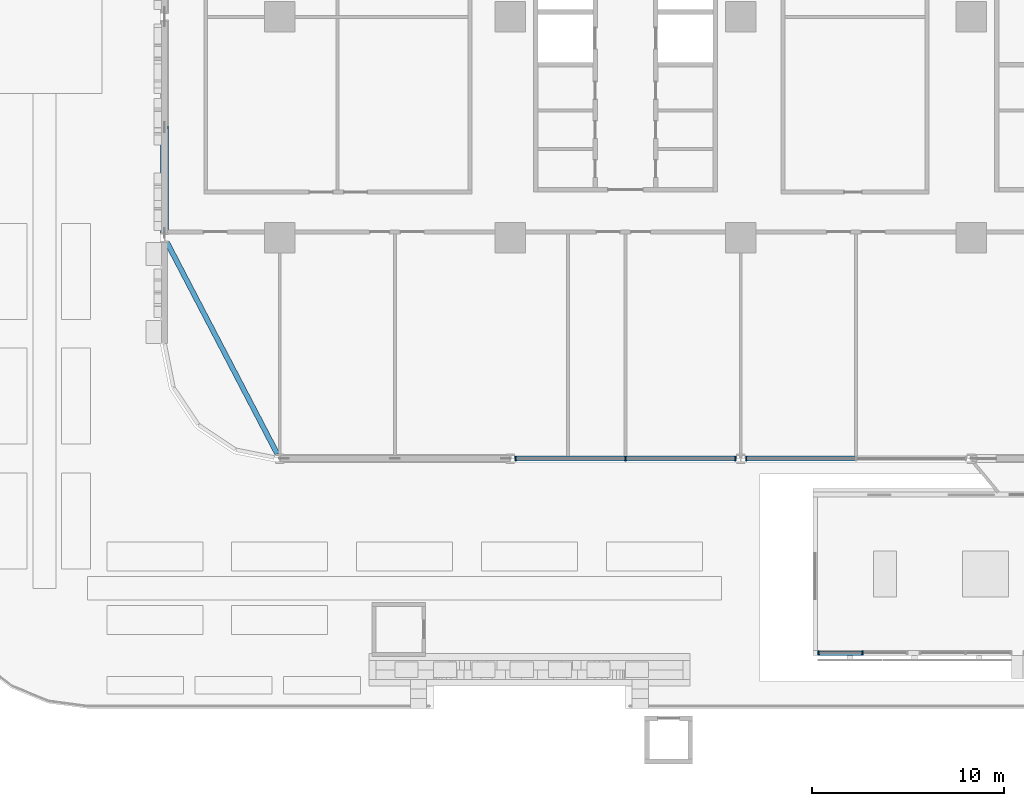
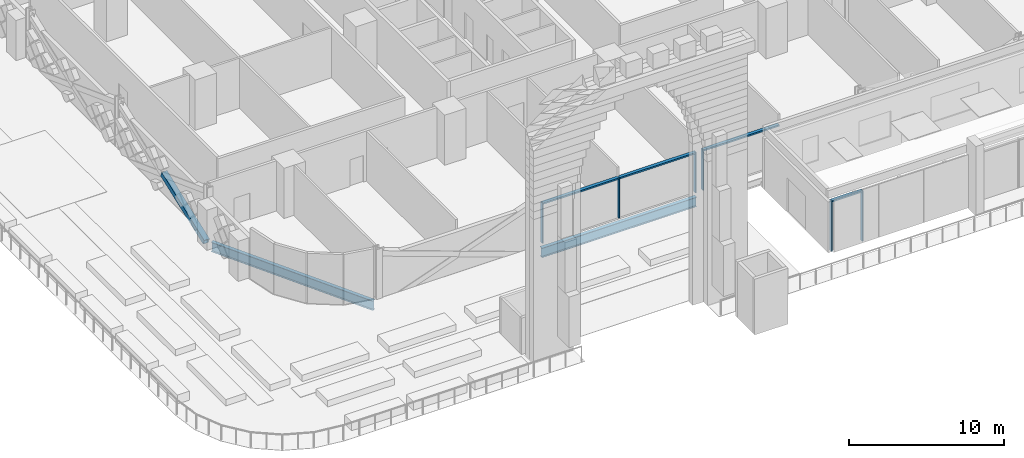
# One storey, part 2 of 39: 11 members, 2 beams, 3 elements without a shape of their own.
"""IFC4 building model written with IfcOpenShell, lengths in metres."""

from ifc_helpers import new_model, si_unit, direction, frame, origin, origin_2d, place, context, subcontext, project, spatial, rectangle, hollow_rectangle, i_section, extrude, material, material_profile, profile_set, type_object, element, aggregate, save


model = new_model("IFC4")

# Units and contexts
model_context = context("Model", 3, precision=1e-05, world=origin(), true_north=direction((0.0, 1.0)))
body_context = subcontext(model_context, "Body", "Model", "MODEL_VIEW")
ifc_project = project(units=[si_unit("LENGTHUNIT", "METRE"), si_unit("AREAUNIT", "SQUARE_METRE"), si_unit("VOLUMEUNIT", "CUBIC_METRE"), si_unit("PLANEANGLEUNIT", "RADIAN"), si_unit("MASSUNIT", "GRAM", prefix="KILO")], contexts=[model_context])

# Site, building, storey
site_placement = place(None, origin())
site = spatial("IfcSite", under=ifc_project, at=site_placement, CompositionType="ELEMENT")
building_placement = place(site_placement, origin())
building = spatial("IfcBuilding", under=site, at=building_placement, Name="Mahtab Terrace Research Tower", CompositionType="ELEMENT")
storey_placement = place(building_placement, frame((0.0, 0.0, 7.199951171875)))
storey = spatial("IfcBuildingStorey", under=building, at=storey_placement, Name="L01", CompositionType="ELEMENT", Elevation=7.199951171875)

# Curtain wall, members
ifc_material_1 = material(Name="Garden pavilion curtain wall")
curtain_wall_type_1 = type_object("IfcCurtainWallType", Name="Garden pavilion curtain wall", PredefinedType="NOTDEFINED", material=ifc_material_1)
curtain_wall_1_placement = place(storey_placement, origin())
curtain_wall_1 = element("IfcCurtainWall", 1, at=curtain_wall_1_placement, inside=storey, type_object=curtain_wall_type_1, Name="PAV.cw.0", PredefinedType="NOTDEFINED")
ifc_material_2 = material(Name="Natural anodised aluminium", Category="aluminium")
ifc_material_profile_1 = material_profile(ifc_material_2, rectangle(XDim=0.239990234375, YDim=0.074951171875, at=origin_2d()), Name="MULLION 75x240")
ifc_profile_set_1 = profile_set([ifc_material_profile_1], Name="Natural anodised aluminium")
member_type_1 = type_object("IfcMemberType", Name="Garden pavilion curtain wall mullion", PredefinedType="MULLION", material=ifc_profile_set_1)
member_1_placement = place(storey_placement, frame((-13.96240234375, -33.125, 0.0), z_axis=(0.0, 0.0, 1.0), x_axis=(0.0, 1.0, 0.0)))
member_1 = element("IfcMember", 2, at=member_1_placement, type_object=member_type_1, Name="CWP-1 mullion 1", PredefinedType="MULLION", context=body_context, shape_type="SweptSolid", body=[
    extrude(rectangle(XDim=0.239990234375, YDim=0.074951171875, at=origin_2d()), origin(), (0.0, 0.0, 1.0), 4.0),
])
member_2_placement = place(storey_placement, frame((-11.64990234375, -33.125, 0.0), z_axis=(0.0, 0.0, 1.0), x_axis=(0.0, 1.0, 0.0)))
member_2 = element("IfcMember", 3, at=member_2_placement, type_object=member_type_1, Name="CWP-1 mullion 2", PredefinedType="MULLION", context=body_context, shape_type="SweptSolid", body=[
    extrude(rectangle(XDim=0.239990234375, YDim=0.074951171875, at=origin_2d()), origin(), (0.0, 0.0, 1.0), 4.0),
])
ifc_material_profile_2 = material_profile(ifc_material_2, rectangle(XDim=0.239990234375, YDim=0.1201171875, at=origin_2d()), Name="TRANSOM 120x240")
ifc_profile_set_2 = profile_set([ifc_material_profile_2], Name="Natural anodised aluminium")
member_type_2 = type_object("IfcMemberType", Name="Garden pavilion curtain wall transom", PredefinedType="USERDEFINED", material=ifc_profile_set_2)
member_3_placement = place(storey_placement, frame((-13.925048828125, -33.125, 3.93994140625), z_axis=(1.0, 0.0, 0.0), x_axis=(0.0, 1.0, 0.0)))
member_3 = element("IfcMember", 4, at=member_3_placement, type_object=member_type_2, Name="CWP-1 transom 1", ObjectType="TRANSOM", PredefinedType="USERDEFINED", context=body_context, shape_type="SweptSolid", body=[
    extrude(rectangle(XDim=0.239990234375, YDim=0.1201171875, at=origin_2d()), origin(), (0.0, 0.0, 1.0), 2.237548828125),
])
aggregate(curtain_wall_1, [member_1, member_2, member_3])

# Member
ifc_material_3 = material(Name="Steel ASTM A500 Gr C", Category="steel")
ifc_material_profile_3 = material_profile(ifc_material_3, hollow_rectangle(XDim=0.406494140625, YDim=0.406494140625, WallThickness=0.01904296875, at=origin_2d()), Name="HSS16X16X3/4")
ifc_profile_set_3 = profile_set([ifc_material_profile_3], Name="Steel ASTM A500 Gr C")
member_type_3 = type_object("IfcMemberType", Name="HSS 16x16x3/4 brace XB161634", PredefinedType="BRACE", material=ifc_profile_set_3)
member_4_placement = place(storey_placement, frame((-48.0, -11.251220703125, -0.625244140625), z_axis=(0.0, 0.936668691391, 0.350216736563), x_axis=(-1.0, 0.0, 0.0)))
element("IfcMember", 5, at=member_4_placement, inside=storey, type_object=member_type_3, Name="Exoskeleton brace L01 10 b1", PredefinedType="BRACE", context=body_context, shape_type="SweptSolid", body=[
    extrude(hollow_rectangle(XDim=0.406494140625, YDim=0.406494140625, WallThickness=0.01904296875, at=origin_2d()), origin(), (0.0, 0.0, 1.0), 5.873291015625),
])

# Curtain wall, members
ifc_material_4 = material(Name="Sky lounge full-height curtain wall")
curtain_wall_type_2 = type_object("IfcCurtainWallType", Name="Sky lounge full-height curtain wall", PredefinedType="NOTDEFINED", material=ifc_material_4)
curtain_wall_2_placement = place(storey_placement, origin())
curtain_wall_2 = element("IfcCurtainWall", 6, at=curtain_wall_2_placement, inside=storey, type_object=curtain_wall_type_2, Name="EN.L01.13.23", PredefinedType="NOTDEFINED")
ifc_material_profile_4 = material_profile(ifc_material_2, rectangle(XDim=0.25, YDim=0.070068359375, at=origin_2d()), Name="MULLION 70x250")
ifc_profile_set_4 = profile_set([ifc_material_profile_4], Name="Natural anodised aluminium")
member_type_4 = type_object("IfcMemberType", Name="Sky lounge full-height curtain wall mullion", PredefinedType="MULLION", material=ifc_profile_set_4)
member_5_placement = place(storey_placement, frame((-29.716064453125, -23.0, 0.0), z_axis=(0.0, 0.0, 1.0), x_axis=(0.0, 1.0, 0.0)))
member_5 = element("IfcMember", 7, at=member_5_placement, type_object=member_type_4, Name="CWS-1 mullion 1", PredefinedType="MULLION", context=body_context, shape_type="SweptSolid", body=[
    extrude(rectangle(XDim=0.25, YDim=0.070068359375, at=origin_2d()), origin(), (0.0, 0.0, 1.0), 3.203125),
])
member_6_placement = place(storey_placement, frame((-24.0, -23.0, 0.0), z_axis=(0.0, 0.0, 1.0), x_axis=(0.0, 1.0, 0.0)))
member_6 = element("IfcMember", 8, at=member_6_placement, type_object=member_type_4, Name="CWS-1 mullion 2", PredefinedType="MULLION", context=body_context, shape_type="SweptSolid", body=[
    extrude(rectangle(XDim=0.25, YDim=0.070068359375, at=origin_2d()), origin(), (0.0, 0.0, 1.0), 3.203125),
])
member_7_placement = place(storey_placement, frame((-18.283935546875, -23.0, 0.0), z_axis=(0.0, 0.0, 1.0), x_axis=(0.0, 1.0, 0.0)))
member_7 = element("IfcMember", 9, at=member_7_placement, type_object=member_type_4, Name="CWS-1 mullion 3", PredefinedType="MULLION", context=body_context, shape_type="SweptSolid", body=[
    extrude(rectangle(XDim=0.25, YDim=0.070068359375, at=origin_2d()), origin(), (0.0, 0.0, 1.0), 3.203125),
])

# Curtain wall, member
curtain_wall_3_placement = place(storey_placement, origin())
curtain_wall_3 = element("IfcCurtainWall", 10, at=curtain_wall_3_placement, inside=storey, type_object=curtain_wall_type_2, Name="EN.L01.13.24", PredefinedType="NOTDEFINED")
member_8_placement = place(storey_placement, frame((-17.716064453125, -23.0, 0.0), z_axis=(0.0, 0.0, 1.0), x_axis=(0.0, 1.0, 0.0)))
member_8 = element("IfcMember", 11, at=member_8_placement, type_object=member_type_4, Name="CWS-1 mullion 1", PredefinedType="MULLION", context=body_context, shape_type="SweptSolid", body=[
    extrude(rectangle(XDim=0.25, YDim=0.070068359375, at=origin_2d()), origin(), (0.0, 0.0, 1.0), 3.203125),
])

# Member
ifc_material_profile_5 = material_profile(ifc_material_2, rectangle(XDim=0.25, YDim=0.1201171875, at=origin_2d()), Name="TRANSOM 120x250")
ifc_profile_set_5 = profile_set([ifc_material_profile_5], Name="Natural anodised aluminium")
member_type_5 = type_object("IfcMemberType", Name="Sky lounge full-height curtain wall transom", PredefinedType="USERDEFINED", material=ifc_profile_set_5)
member_9_placement = place(storey_placement, frame((-29.680908203125, -23.0, 3.14306640625), z_axis=(1.0, 0.0, 0.0), x_axis=(0.0, 1.0, 0.0)))
member_9 = element("IfcMember", 12, at=member_9_placement, type_object=member_type_5, Name="CWS-1 transom 1", ObjectType="TRANSOM", PredefinedType="USERDEFINED", context=body_context, shape_type="SweptSolid", body=[
    extrude(rectangle(XDim=0.25, YDim=0.1201171875, at=origin_2d()), origin(), (0.0, 0.0, 1.0), 5.64599609375),
])

member_10_placement = place(storey_placement, frame((-23.965087890625, -23.0, 3.14306640625), z_axis=(1.0, 0.0, 0.0), x_axis=(0.0, 1.0, 0.0)))
member_10 = element("IfcMember", 13, at=member_10_placement, type_object=member_type_5, Name="CWS-1 transom 2", ObjectType="TRANSOM", PredefinedType="USERDEFINED", context=body_context, shape_type="SweptSolid", body=[
    extrude(rectangle(XDim=0.25, YDim=0.1201171875, at=origin_2d()), origin(), (0.0, 0.0, 1.0), 5.64599609375),
])

aggregate(curtain_wall_2, [member_5, member_6, member_7, member_9, member_10])

member_11_placement = place(storey_placement, frame((-17.680908203125, -23.0, 3.14306640625), z_axis=(1.0, 0.0, 0.0), x_axis=(0.0, 1.0, 0.0)))
member_11 = element("IfcMember", 14, at=member_11_placement, type_object=member_type_5, Name="CWS-1 transom 1", ObjectType="TRANSOM", PredefinedType="USERDEFINED", context=body_context, shape_type="SweptSolid", body=[
    extrude(rectangle(XDim=0.25, YDim=0.1201171875, at=origin_2d()), origin(), (0.0, 0.0, 1.0), 5.64599609375),
])

aggregate(curtain_wall_3, [member_8, member_11])

# Beams
ifc_material_5 = material(Name="Steel ASTM A992 Gr 50", Category="steel")
ifc_material_profile_6 = material_profile(ifc_material_5, i_section(OverallWidth=0.2666015625, OverallDepth=0.7568359375, WebThickness=0.013916015625, FlangeThickness=0.019287109375, at=origin_2d()), Name="W30X108")
ifc_profile_set_6 = profile_set([ifc_material_profile_6], Name="Steel ASTM A992 Gr 50")
beam_type = type_object("IfcBeamType", Name="W30x108 beam BS30108", PredefinedType="BEAM", material=ifc_profile_set_6)
beam_1_placement = place(storey_placement, frame((-47.8701171875, -11.748779296875, -0.718505859375), z_axis=(0.462555249274, -0.88659045865, 0.0), x_axis=(0.88659045865, 0.462555249274, 0.0)))
element("IfcBeam", 15, at=beam_1_placement, inside=storey, type_object=beam_type, Name="Spandrel beam L01 11", PredefinedType="BEAM", context=body_context, shape_type="SweptSolid", body=[
    extrude(i_section(OverallWidth=0.2666015625, OverallDepth=0.7568359375, WebThickness=0.013916015625, FlangeThickness=0.019287109375, at=origin_2d()), origin(), (0.0, 0.0, 1.0), 12.409912109375),
])
beam_2_placement = place(storey_placement, frame((-29.7841796875, -23.0, -0.718505859375), z_axis=(1.0, 0.0, 0.0), x_axis=(0.0, 1.0, 0.0)))
element("IfcBeam", 16, at=beam_2_placement, inside=storey, type_object=beam_type, Name="Spandrel beam L01 13", PredefinedType="BEAM", context=body_context, shape_type="SweptSolid", body=[
    extrude(i_section(OverallWidth=0.2666015625, OverallDepth=0.7568359375, WebThickness=0.013916015625, FlangeThickness=0.019287109375, at=origin_2d()), origin(), (0.0, 0.0, 1.0), 11.568359375),
])

save(model, "model.ifc")
